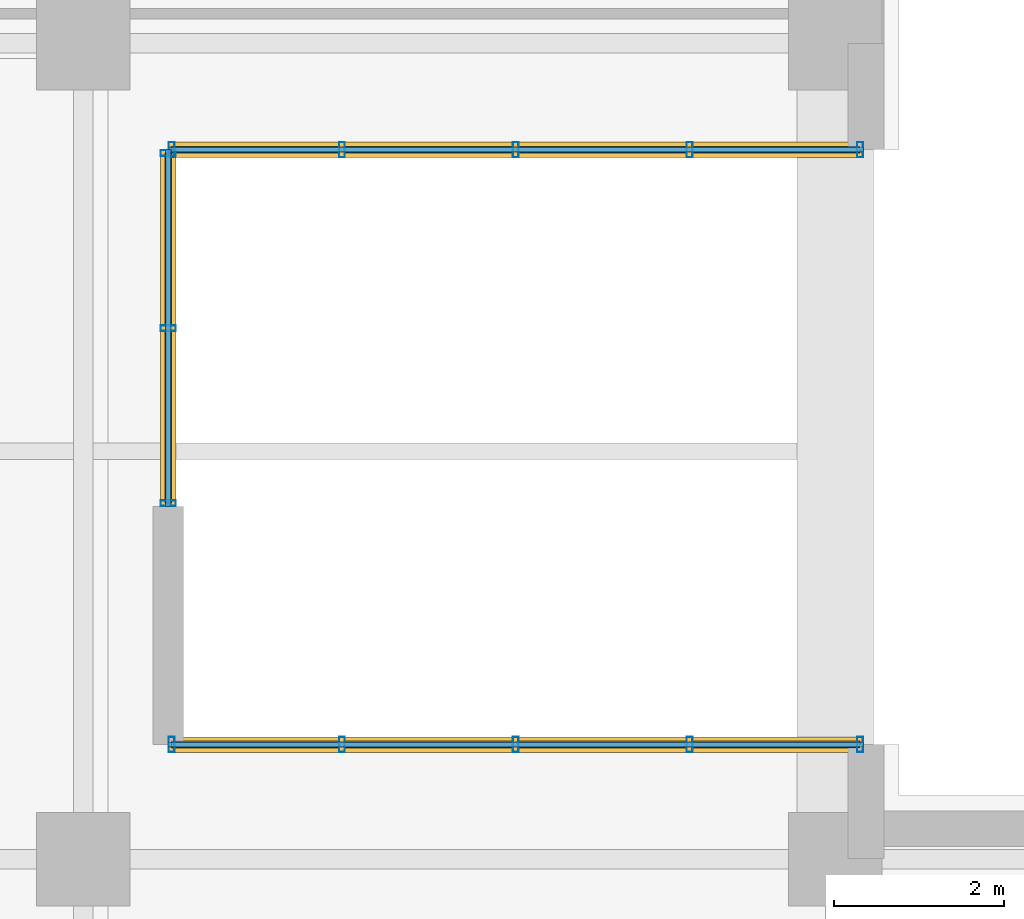
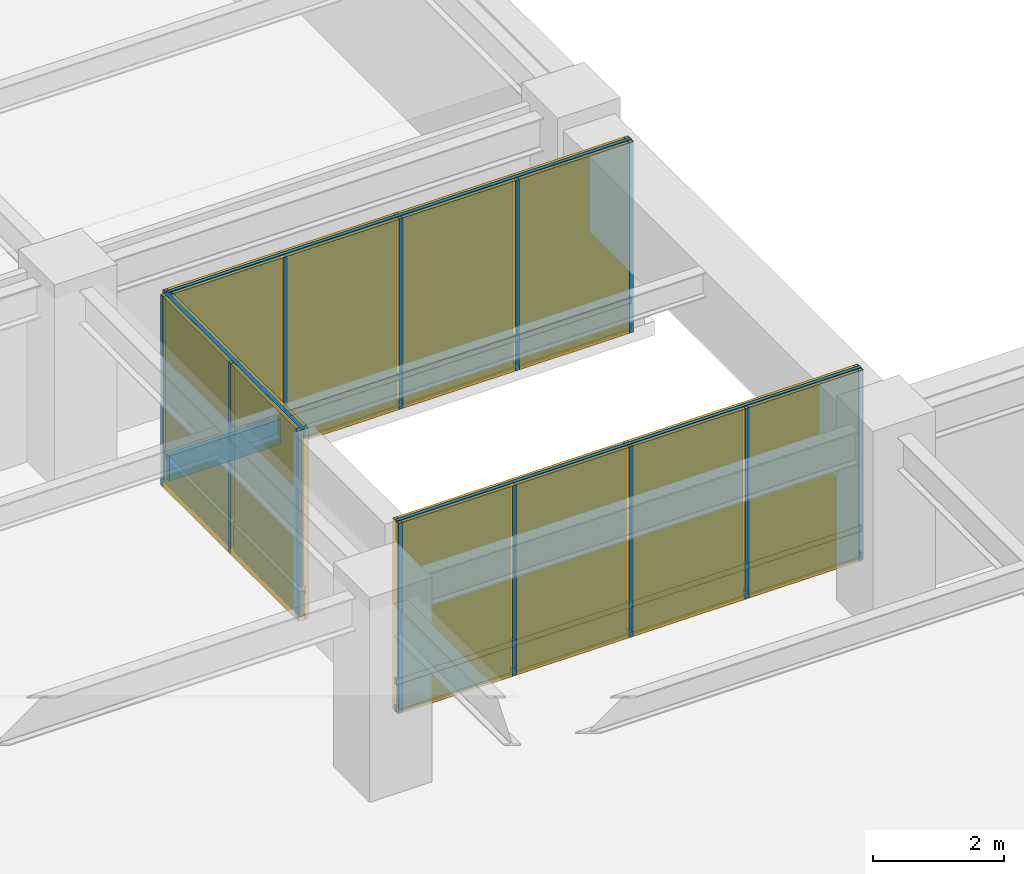
# One storey, part 9 of 14: 22 members, 20 plates, 3 curtain walls.
"""IFC4 building model written with IfcOpenShell, lengths in metres."""

from ifc_helpers import new_model, si_unit, direction, frame, frame_2d, origin, origin_2d, place, context, subcontext, project, spatial, rectangle, hollow_rectangle, extrude, material, layer, layer_set, material_profile, profile_set, type_object, element, aggregate, save


model = new_model("IFC4")

# Units and contexts
model_context = context("Model", 3, precision=1e-05, world=origin(), true_north=direction((0.0, 1.0)))
body_context = subcontext(model_context, "Body", "Model", "MODEL_VIEW")
ifc_project = project(units=[si_unit("LENGTHUNIT", "METRE"), si_unit("AREAUNIT", "SQUARE_METRE"), si_unit("VOLUMEUNIT", "CUBIC_METRE"), si_unit("PLANEANGLEUNIT", "RADIAN"), si_unit("MASSUNIT", "GRAM", prefix="KILO")], contexts=[model_context])

# Member
ifc_material_1 = material(Name="Anodized Aluminium 6063-T6", Category="aluminium")
ifc_material_profile_1 = material_profile(ifc_material_1, hollow_rectangle(XDim=0.070068359375, YDim=0.179931640625, WallThickness=0.00390625, at=origin_2d()), Name="Anodized Aluminium 6063-T6")
ifc_profile_set_1 = profile_set([ifc_material_profile_1], Name="Anodized Aluminium 6063-T6")
member_type_1 = type_object("IfcMemberType", Name="Curtain Wall Mullion 180", PredefinedType="MULLION", material=ifc_profile_set_1)
site_placement = place(None, origin())
building_placement = place(site_placement, origin())
storey_placement = place(building_placement, frame((0.0, 0.0, 62.199951171875)))
member_1_placement = place(storey_placement, frame((29.840087890625, 46.0, 0.0), z_axis=(0.0, 0.0, 1.0), x_axis=(1.0, 0.0, 0.0)))
member_1 = element("IfcMember", 1, at=member_1_placement, type_object=member_type_1, Name="Curtain Wall Mullion CW-L15-SGN-M01", PredefinedType="MULLION", context=body_context, shape_type="SweptSolid", body=[
    extrude(hollow_rectangle(XDim=0.070068359375, YDim=0.179931640625, WallThickness=0.00390625, at=origin_2d()), origin(), (0.0, 0.0, 1.0), 3.5400390625),
])

member_2_placement = place(storey_placement, frame((31.844970703125, 46.0, 0.0), z_axis=(0.0, 0.0, 1.0), x_axis=(1.0, 0.0, 0.0)))
member_2 = element("IfcMember", 2, at=member_2_placement, type_object=member_type_1, Name="Curtain Wall Mullion CW-L15-SGN-M02", PredefinedType="MULLION", context=body_context, shape_type="SweptSolid", body=[
    extrude(hollow_rectangle(XDim=0.070068359375, YDim=0.179931640625, WallThickness=0.00390625, at=origin_2d()), origin(), (0.0, 0.0, 1.0), 3.5400390625),
])

member_3_placement = place(storey_placement, frame((33.889892578125, 46.0, 0.0), z_axis=(0.0, 0.0, 1.0), x_axis=(1.0, 0.0, 0.0)))
member_3 = element("IfcMember", 3, at=member_3_placement, type_object=member_type_1, Name="Curtain Wall Mullion CW-L15-SGN-M03", PredefinedType="MULLION", context=body_context, shape_type="SweptSolid", body=[
    extrude(hollow_rectangle(XDim=0.070068359375, YDim=0.179931640625, WallThickness=0.00390625, at=origin_2d()), origin(), (0.0, 0.0, 1.0), 3.5400390625),
])

member_4_placement = place(storey_placement, frame((35.93505859375, 46.0, 0.0), z_axis=(0.0, 0.0, 1.0), x_axis=(1.0, 0.0, 0.0)))
member_4 = element("IfcMember", 4, at=member_4_placement, type_object=member_type_1, Name="Curtain Wall Mullion CW-L15-SGN-M04", PredefinedType="MULLION", context=body_context, shape_type="SweptSolid", body=[
    extrude(hollow_rectangle(XDim=0.070068359375, YDim=0.179931640625, WallThickness=0.00390625, at=origin_2d()), origin(), (0.0, 0.0, 1.0), 3.5400390625),
])

member_5_placement = place(storey_placement, frame((37.93994140625, 46.0, 0.0), z_axis=(0.0, 0.0, 1.0), x_axis=(1.0, 0.0, 0.0)))
member_5 = element("IfcMember", 5, at=member_5_placement, type_object=member_type_1, Name="Curtain Wall Mullion CW-L15-SGN-M05", PredefinedType="MULLION", context=body_context, shape_type="SweptSolid", body=[
    extrude(hollow_rectangle(XDim=0.070068359375, YDim=0.179931640625, WallThickness=0.00390625, at=origin_2d()), origin(), (0.0, 0.0, 1.0), 3.5400390625),
])

member_6_placement = place(storey_placement, frame((29.840087890625, 39.0, 0.0), z_axis=(0.0, 0.0, 1.0), x_axis=(1.0, 0.0, 0.0)))
member_6 = element("IfcMember", 6, at=member_6_placement, type_object=member_type_1, Name="Curtain Wall Mullion CW-L15-SGS-M01", PredefinedType="MULLION", context=body_context, shape_type="SweptSolid", body=[
    extrude(hollow_rectangle(XDim=0.070068359375, YDim=0.179931640625, WallThickness=0.00390625, at=origin_2d()), origin(), (0.0, 0.0, 1.0), 3.5400390625),
])

member_7_placement = place(storey_placement, frame((31.844970703125, 39.0, 0.0), z_axis=(0.0, 0.0, 1.0), x_axis=(1.0, 0.0, 0.0)))
member_7 = element("IfcMember", 7, at=member_7_placement, type_object=member_type_1, Name="Curtain Wall Mullion CW-L15-SGS-M02", PredefinedType="MULLION", context=body_context, shape_type="SweptSolid", body=[
    extrude(hollow_rectangle(XDim=0.070068359375, YDim=0.179931640625, WallThickness=0.00390625, at=origin_2d()), origin(), (0.0, 0.0, 1.0), 3.5400390625),
])

member_8_placement = place(storey_placement, frame((33.889892578125, 39.0, 0.0), z_axis=(0.0, 0.0, 1.0), x_axis=(1.0, 0.0, 0.0)))
member_8 = element("IfcMember", 8, at=member_8_placement, type_object=member_type_1, Name="Curtain Wall Mullion CW-L15-SGS-M03", PredefinedType="MULLION", context=body_context, shape_type="SweptSolid", body=[
    extrude(hollow_rectangle(XDim=0.070068359375, YDim=0.179931640625, WallThickness=0.00390625, at=origin_2d()), origin(), (0.0, 0.0, 1.0), 3.5400390625),
])

member_9_placement = place(storey_placement, frame((35.93505859375, 39.0, 0.0), z_axis=(0.0, 0.0, 1.0), x_axis=(1.0, 0.0, 0.0)))
member_9 = element("IfcMember", 9, at=member_9_placement, type_object=member_type_1, Name="Curtain Wall Mullion CW-L15-SGS-M04", PredefinedType="MULLION", context=body_context, shape_type="SweptSolid", body=[
    extrude(hollow_rectangle(XDim=0.070068359375, YDim=0.179931640625, WallThickness=0.00390625, at=origin_2d()), origin(), (0.0, 0.0, 1.0), 3.5400390625),
])

member_10_placement = place(storey_placement, frame((37.93994140625, 39.0, 0.0), z_axis=(0.0, 0.0, 1.0), x_axis=(1.0, 0.0, 0.0)))
member_10 = element("IfcMember", 10, at=member_10_placement, type_object=member_type_1, Name="Curtain Wall Mullion CW-L15-SGS-M05", PredefinedType="MULLION", context=body_context, shape_type="SweptSolid", body=[
    extrude(hollow_rectangle(XDim=0.070068359375, YDim=0.179931640625, WallThickness=0.00390625, at=origin_2d()), origin(), (0.0, 0.0, 1.0), 3.5400390625),
])

member_11_placement = place(storey_placement, frame((29.800048828125, 41.840087890625, 0.0), z_axis=(0.0, 0.0, 1.0), x_axis=(0.0, 1.0, 0.0)))
member_11 = element("IfcMember", 11, at=member_11_placement, type_object=member_type_1, Name="Curtain Wall Mullion CW-L15-SGW-M01", PredefinedType="MULLION", context=body_context, shape_type="SweptSolid", body=[
    extrude(hollow_rectangle(XDim=0.070068359375, YDim=0.179931640625, WallThickness=0.00390625, at=origin_2d()), origin(), (0.0, 0.0, 1.0), 3.5400390625),
])

member_12_placement = place(storey_placement, frame((29.800048828125, 43.89990234375, 0.0), z_axis=(0.0, 0.0, 1.0), x_axis=(0.0, 1.0, 0.0)))
member_12 = element("IfcMember", 12, at=member_12_placement, type_object=member_type_1, Name="Curtain Wall Mullion CW-L15-SGW-M02", PredefinedType="MULLION", context=body_context, shape_type="SweptSolid", body=[
    extrude(hollow_rectangle(XDim=0.070068359375, YDim=0.179931640625, WallThickness=0.00390625, at=origin_2d()), origin(), (0.0, 0.0, 1.0), 3.5400390625),
])

member_13_placement = place(storey_placement, frame((29.800048828125, 45.9599609375, 0.0), z_axis=(0.0, 0.0, 1.0), x_axis=(0.0, 1.0, 0.0)))
member_13 = element("IfcMember", 13, at=member_13_placement, type_object=member_type_1, Name="Curtain Wall Mullion CW-L15-SGW-M03", PredefinedType="MULLION", context=body_context, shape_type="SweptSolid", body=[
    extrude(hollow_rectangle(XDim=0.070068359375, YDim=0.179931640625, WallThickness=0.00390625, at=origin_2d()), origin(), (0.0, 0.0, 1.0), 3.5400390625),
])

ifc_material_profile_2 = material_profile(ifc_material_1, hollow_rectangle(XDim=0.06005859375, YDim=0.1201171875, WallThickness=0.00341796875, at=origin_2d()), Name="Anodized Aluminium 6063-T6")
ifc_profile_set_2 = profile_set([ifc_material_profile_2], Name="Anodized Aluminium 6063-T6")
member_type_2 = type_object("IfcMemberType", Name="Curtain Wall Transom 120", PredefinedType="USERDEFINED", material=ifc_profile_set_2)
member_14_placement = place(storey_placement, frame((29.800048828125, 46.0, 0.050048828125), z_axis=(1.0, 0.0, 0.0), x_axis=(0.0, 1.0, 0.0)))
member_14 = element("IfcMember", 14, at=member_14_placement, type_object=member_type_2, Name="Curtain Wall Transom CW-L15-SGN-T01", ObjectType="TRANSOM", PredefinedType="USERDEFINED", context=body_context, shape_type="SweptSolid", body=[
    extrude(hollow_rectangle(XDim=0.06005859375, YDim=0.1201171875, WallThickness=0.00341796875, at=origin_2d()), origin(), (0.0, 0.0, 1.0), 8.179931640625),
])

member_15_placement = place(storey_placement, frame((29.800048828125, 46.0, 0.550048828125), z_axis=(1.0, 0.0, 0.0), x_axis=(0.0, 1.0, 0.0)))
member_15 = element("IfcMember", 15, at=member_15_placement, type_object=member_type_2, Name="Curtain Wall Transom CW-L15-SGN-T02", ObjectType="TRANSOM", PredefinedType="USERDEFINED", context=body_context, shape_type="SweptSolid", body=[
    extrude(hollow_rectangle(XDim=0.06005859375, YDim=0.1201171875, WallThickness=0.00341796875, at=origin_2d()), origin(), (0.0, 0.0, 1.0), 8.179931640625),
])

member_16_placement = place(storey_placement, frame((29.800048828125, 46.0, 3.489990234375), z_axis=(1.0, 0.0, 0.0), x_axis=(0.0, 1.0, 0.0)))
member_16 = element("IfcMember", 16, at=member_16_placement, type_object=member_type_2, Name="Curtain Wall Transom CW-L15-SGN-T03", ObjectType="TRANSOM", PredefinedType="USERDEFINED", context=body_context, shape_type="SweptSolid", body=[
    extrude(hollow_rectangle(XDim=0.06005859375, YDim=0.1201171875, WallThickness=0.00341796875, at=origin_2d()), origin(), (0.0, 0.0, 1.0), 8.179931640625),
])

member_17_placement = place(storey_placement, frame((29.800048828125, 39.0, 0.050048828125), z_axis=(1.0, 0.0, 0.0), x_axis=(0.0, 1.0, 0.0)))
member_17 = element("IfcMember", 17, at=member_17_placement, type_object=member_type_2, Name="Curtain Wall Transom CW-L15-SGS-T01", ObjectType="TRANSOM", PredefinedType="USERDEFINED", context=body_context, shape_type="SweptSolid", body=[
    extrude(hollow_rectangle(XDim=0.06005859375, YDim=0.1201171875, WallThickness=0.00341796875, at=origin_2d()), origin(), (0.0, 0.0, 1.0), 8.179931640625),
])

member_18_placement = place(storey_placement, frame((29.800048828125, 39.0, 0.550048828125), z_axis=(1.0, 0.0, 0.0), x_axis=(0.0, 1.0, 0.0)))
member_18 = element("IfcMember", 18, at=member_18_placement, type_object=member_type_2, Name="Curtain Wall Transom CW-L15-SGS-T02", ObjectType="TRANSOM", PredefinedType="USERDEFINED", context=body_context, shape_type="SweptSolid", body=[
    extrude(hollow_rectangle(XDim=0.06005859375, YDim=0.1201171875, WallThickness=0.00341796875, at=origin_2d()), origin(), (0.0, 0.0, 1.0), 8.179931640625),
])

member_19_placement = place(storey_placement, frame((29.800048828125, 39.0, 3.489990234375), z_axis=(1.0, 0.0, 0.0), x_axis=(0.0, 1.0, 0.0)))
member_19 = element("IfcMember", 19, at=member_19_placement, type_object=member_type_2, Name="Curtain Wall Transom CW-L15-SGS-T03", ObjectType="TRANSOM", PredefinedType="USERDEFINED", context=body_context, shape_type="SweptSolid", body=[
    extrude(hollow_rectangle(XDim=0.06005859375, YDim=0.1201171875, WallThickness=0.00341796875, at=origin_2d()), origin(), (0.0, 0.0, 1.0), 8.179931640625),
])

member_20_placement = place(storey_placement, frame((29.800048828125, 41.800048828125, 0.050048828125), z_axis=(0.0, 1.0, 0.0), x_axis=(-1.0, 0.0, 0.0)))
member_20 = element("IfcMember", 20, at=member_20_placement, type_object=member_type_2, Name="Curtain Wall Transom CW-L15-SGW-T01", ObjectType="TRANSOM", PredefinedType="USERDEFINED", context=body_context, shape_type="SweptSolid", body=[
    extrude(hollow_rectangle(XDim=0.06005859375, YDim=0.1201171875, WallThickness=0.00341796875, at=origin_2d()), origin(), (0.0, 0.0, 1.0), 4.199951171875),
])

member_21_placement = place(storey_placement, frame((29.800048828125, 41.800048828125, 0.550048828125), z_axis=(0.0, 1.0, 0.0), x_axis=(-1.0, 0.0, 0.0)))
member_21 = element("IfcMember", 21, at=member_21_placement, type_object=member_type_2, Name="Curtain Wall Transom CW-L15-SGW-T02", ObjectType="TRANSOM", PredefinedType="USERDEFINED", context=body_context, shape_type="SweptSolid", body=[
    extrude(hollow_rectangle(XDim=0.06005859375, YDim=0.1201171875, WallThickness=0.00341796875, at=origin_2d()), origin(), (0.0, 0.0, 1.0), 4.199951171875),
])

member_22_placement = place(storey_placement, frame((29.800048828125, 41.800048828125, 3.489990234375), z_axis=(0.0, 1.0, 0.0), x_axis=(-1.0, 0.0, 0.0)))
member_22 = element("IfcMember", 22, at=member_22_placement, type_object=member_type_2, Name="Curtain Wall Transom CW-L15-SGW-T03", ObjectType="TRANSOM", PredefinedType="USERDEFINED", context=body_context, shape_type="SweptSolid", body=[
    extrude(hollow_rectangle(XDim=0.06005859375, YDim=0.1201171875, WallThickness=0.00341796875, at=origin_2d()), origin(), (0.0, 0.0, 1.0), 4.199951171875),
])

# Plate
ifc_material_2 = material(Name="Bird-Friendly Fritted Triple Glazing", Category="glass")
ifc_layer_1 = layer(ifc_material_2, 0.052001953125, Name="Bird-Friendly Fritted Triple Glazing")
ifc_layer_set_1 = layer_set([ifc_layer_1], Name="Bird-Friendly Fritted Triple Glazing")
plate_type_1 = type_object("IfcPlateType", Name="Plate CWGlazing 52", PredefinedType="CURTAIN_PANEL", material=ifc_layer_set_1)
plate_1_placement = place(storey_placement, frame((30.822509765625, 46.0, 0.59033203125), z_axis=(0.0, 0.0, 1.0), x_axis=(1.0, 0.0, 0.0)))
plate_1 = element("IfcPlate", 23, at=plate_1_placement, type_object=plate_type_1, Name="Vision Glazing Panel CW-L15-SGN-GL01", PredefinedType="CURTAIN_PANEL", context=body_context, shape_type="SweptSolid", body=[
    extrude(rectangle(XDim=1.965087890625, YDim=0.052001953125, at=origin_2d()), origin(), (0.0, 0.0, 1.0), 2.909912109375),
])

plate_2_placement = place(storey_placement, frame((32.867431640625, 46.0, 0.59033203125), z_axis=(0.0, 0.0, 1.0), x_axis=(1.0, 0.0, 0.0)))
plate_2 = element("IfcPlate", 24, at=plate_2_placement, type_object=plate_type_1, Name="Vision Glazing Panel CW-L15-SGN-GL02", PredefinedType="CURTAIN_PANEL", context=body_context, shape_type="SweptSolid", body=[
    extrude(rectangle(XDim=1.965087890625, YDim=0.052001953125, at=origin_2d()), origin(), (0.0, 0.0, 1.0), 2.909912109375),
])

plate_3_placement = place(storey_placement, frame((34.91259765625, 46.0, 0.59033203125), z_axis=(0.0, 0.0, 1.0), x_axis=(1.0, 0.0, 0.0)))
plate_3 = element("IfcPlate", 25, at=plate_3_placement, type_object=plate_type_1, Name="Vision Glazing Panel CW-L15-SGN-GL03", PredefinedType="CURTAIN_PANEL", context=body_context, shape_type="SweptSolid", body=[
    extrude(rectangle(XDim=1.965087890625, YDim=0.052001953125, at=origin_2d()), origin(), (0.0, 0.0, 1.0), 2.909912109375),
])

plate_4_placement = place(storey_placement, frame((36.95751953125, 46.0, 0.59033203125), z_axis=(0.0, 0.0, 1.0), x_axis=(1.0, 0.0, 0.0)))
plate_4 = element("IfcPlate", 26, at=plate_4_placement, type_object=plate_type_1, Name="Vision Glazing Panel CW-L15-SGN-GL04", PredefinedType="CURTAIN_PANEL", context=body_context, shape_type="SweptSolid", body=[
    extrude(rectangle(XDim=1.965087890625, YDim=0.052001953125, at=origin_2d()), origin(), (0.0, 0.0, 1.0), 2.909912109375),
])

plate_5_placement = place(storey_placement, frame((30.822509765625, 39.0, 0.59033203125), z_axis=(0.0, 0.0, 1.0), x_axis=(1.0, 0.0, 0.0)))
plate_5 = element("IfcPlate", 27, at=plate_5_placement, type_object=plate_type_1, Name="Vision Glazing Panel CW-L15-SGS-GL01", PredefinedType="CURTAIN_PANEL", context=body_context, shape_type="SweptSolid", body=[
    extrude(rectangle(XDim=1.965087890625, YDim=0.052001953125, at=origin_2d()), origin(), (0.0, 0.0, 1.0), 2.909912109375),
])

plate_6_placement = place(storey_placement, frame((32.867431640625, 39.0, 0.59033203125), z_axis=(0.0, 0.0, 1.0), x_axis=(1.0, 0.0, 0.0)))
plate_6 = element("IfcPlate", 28, at=plate_6_placement, type_object=plate_type_1, Name="Vision Glazing Panel CW-L15-SGS-GL02", PredefinedType="CURTAIN_PANEL", context=body_context, shape_type="SweptSolid", body=[
    extrude(rectangle(XDim=1.965087890625, YDim=0.052001953125, at=origin_2d()), origin(), (0.0, 0.0, 1.0), 2.909912109375),
])

plate_7_placement = place(storey_placement, frame((34.91259765625, 39.0, 0.59033203125), z_axis=(0.0, 0.0, 1.0), x_axis=(1.0, 0.0, 0.0)))
plate_7 = element("IfcPlate", 29, at=plate_7_placement, type_object=plate_type_1, Name="Vision Glazing Panel CW-L15-SGS-GL03", PredefinedType="CURTAIN_PANEL", context=body_context, shape_type="SweptSolid", body=[
    extrude(rectangle(XDim=1.965087890625, YDim=0.052001953125, at=origin_2d()), origin(), (0.0, 0.0, 1.0), 2.909912109375),
])

plate_8_placement = place(storey_placement, frame((36.95751953125, 39.0, 0.59033203125), z_axis=(0.0, 0.0, 1.0), x_axis=(1.0, 0.0, 0.0)))
plate_8 = element("IfcPlate", 30, at=plate_8_placement, type_object=plate_type_1, Name="Vision Glazing Panel CW-L15-SGS-GL04", PredefinedType="CURTAIN_PANEL", context=body_context, shape_type="SweptSolid", body=[
    extrude(rectangle(XDim=1.965087890625, YDim=0.052001953125, at=origin_2d()), origin(), (0.0, 0.0, 1.0), 2.909912109375),
])

plate_9_placement = place(storey_placement, frame((29.800048828125, 42.85009765625, 0.59033203125), z_axis=(0.0, 0.0, 1.0), x_axis=(0.0, 1.0, 0.0)))
plate_9 = element("IfcPlate", 31, at=plate_9_placement, type_object=plate_type_1, Name="Vision Glazing Panel CW-L15-SGW-GL01", PredefinedType="CURTAIN_PANEL", context=body_context, shape_type="SweptSolid", body=[
    extrude(rectangle(XDim=2.02001953125, YDim=0.052001953125, at=origin_2d()), origin(), (0.0, 0.0, 1.0), 2.909912109375),
])

plate_10_placement = place(storey_placement, frame((29.800048828125, 44.949951171875, 0.59033203125), z_axis=(0.0, 0.0, 1.0), x_axis=(0.0, 1.0, 0.0)))
plate_10 = element("IfcPlate", 32, at=plate_10_placement, type_object=plate_type_1, Name="Vision Glazing Panel CW-L15-SGW-GL02", PredefinedType="CURTAIN_PANEL", context=body_context, shape_type="SweptSolid", body=[
    extrude(rectangle(XDim=2.02001953125, YDim=0.052001953125, at=origin_2d()), origin(), (0.0, 0.0, 1.0), 2.909912109375),
])

ifc_material_3 = material(Name="Insulated Aluminium Spandrel Panel", Category="aluminium")
ifc_layer_2 = layer(ifc_material_3, 0.080078125, Name="Insulated Aluminium Spandrel Panel")
ifc_layer_set_2 = layer_set([ifc_layer_2], Name="Insulated Aluminium Spandrel Panel")
plate_type_2 = type_object("IfcPlateType", Name="Plate CWSpandrel 80", PredefinedType="SHEET", material=ifc_layer_set_2)
plate_11_placement = place(storey_placement, frame((30.822509765625, 46.0, 0.0400390625), z_axis=(0.0, 0.0, 1.0), x_axis=(1.0, 0.0, 0.0)))
plate_11 = element("IfcPlate", 33, at=plate_11_placement, type_object=plate_type_2, Name="Spandrel Panel CW-L15-SGN-SP01", PredefinedType="SHEET", context=body_context, shape_type="SweptSolid", body=[
    extrude(rectangle(XDim=1.965087890625, YDim=0.080078125, at=origin_2d()), origin(), (0.0, 0.0, 1.0), 0.469970703125),
])

plate_12_placement = place(storey_placement, frame((32.867431640625, 46.0, 0.0400390625), z_axis=(0.0, 0.0, 1.0), x_axis=(1.0, 0.0, 0.0)))
plate_12 = element("IfcPlate", 34, at=plate_12_placement, type_object=plate_type_2, Name="Spandrel Panel CW-L15-SGN-SP02", PredefinedType="SHEET", context=body_context, shape_type="SweptSolid", body=[
    extrude(rectangle(XDim=1.965087890625, YDim=0.080078125, at=origin_2d()), origin(), (0.0, 0.0, 1.0), 0.469970703125),
])

plate_13_placement = place(storey_placement, frame((34.91259765625, 46.0, 0.0400390625), z_axis=(0.0, 0.0, 1.0), x_axis=(1.0, 0.0, 0.0)))
plate_13 = element("IfcPlate", 35, at=plate_13_placement, type_object=plate_type_2, Name="Spandrel Panel CW-L15-SGN-SP03", PredefinedType="SHEET", context=body_context, shape_type="SweptSolid", body=[
    extrude(rectangle(XDim=1.965087890625, YDim=0.080078125, at=origin_2d()), origin(), (0.0, 0.0, 1.0), 0.469970703125),
])

plate_14_placement = place(storey_placement, frame((36.95751953125, 46.0, 0.0400390625), z_axis=(0.0, 0.0, 1.0), x_axis=(1.0, 0.0, 0.0)))
plate_14 = element("IfcPlate", 36, at=plate_14_placement, type_object=plate_type_2, Name="Spandrel Panel CW-L15-SGN-SP04", PredefinedType="SHEET", context=body_context, shape_type="SweptSolid", body=[
    extrude(rectangle(XDim=1.965087890625, YDim=0.080078125, at=origin_2d()), origin(), (0.0, 0.0, 1.0), 0.469970703125),
])

plate_15_placement = place(storey_placement, frame((30.822509765625, 39.0, 0.0400390625), z_axis=(0.0, 0.0, 1.0), x_axis=(1.0, 0.0, 0.0)))
plate_15 = element("IfcPlate", 37, at=plate_15_placement, type_object=plate_type_2, Name="Spandrel Panel CW-L15-SGS-SP01", PredefinedType="SHEET", context=body_context, shape_type="SweptSolid", body=[
    extrude(rectangle(XDim=1.965087890625, YDim=0.080078125, at=origin_2d()), origin(), (0.0, 0.0, 1.0), 0.469970703125),
])

plate_16_placement = place(storey_placement, frame((32.867431640625, 39.0, 0.0400390625), z_axis=(0.0, 0.0, 1.0), x_axis=(1.0, 0.0, 0.0)))
plate_16 = element("IfcPlate", 38, at=plate_16_placement, type_object=plate_type_2, Name="Spandrel Panel CW-L15-SGS-SP02", PredefinedType="SHEET", context=body_context, shape_type="SweptSolid", body=[
    extrude(rectangle(XDim=1.965087890625, YDim=0.080078125, at=origin_2d()), origin(), (0.0, 0.0, 1.0), 0.469970703125),
])

plate_17_placement = place(storey_placement, frame((34.91259765625, 39.0, 0.0400390625), z_axis=(0.0, 0.0, 1.0), x_axis=(1.0, 0.0, 0.0)))
plate_17 = element("IfcPlate", 39, at=plate_17_placement, type_object=plate_type_2, Name="Spandrel Panel CW-L15-SGS-SP03", PredefinedType="SHEET", context=body_context, shape_type="SweptSolid", body=[
    extrude(rectangle(XDim=1.965087890625, YDim=0.080078125, at=origin_2d()), origin(), (0.0, 0.0, 1.0), 0.469970703125),
])

plate_18_placement = place(storey_placement, frame((36.95751953125, 39.0, 0.0400390625), z_axis=(0.0, 0.0, 1.0), x_axis=(1.0, 0.0, 0.0)))
plate_18 = element("IfcPlate", 40, at=plate_18_placement, type_object=plate_type_2, Name="Spandrel Panel CW-L15-SGS-SP04", PredefinedType="SHEET", context=body_context, shape_type="SweptSolid", body=[
    extrude(rectangle(XDim=1.965087890625, YDim=0.080078125, at=origin_2d()), origin(), (0.0, 0.0, 1.0), 0.469970703125),
])

plate_19_placement = place(storey_placement, frame((29.800048828125, 42.85009765625, 0.0400390625), z_axis=(0.0, 0.0, 1.0), x_axis=(0.0, 1.0, 0.0)))
plate_19 = element("IfcPlate", 41, at=plate_19_placement, type_object=plate_type_2, Name="Spandrel Panel CW-L15-SGW-SP01", PredefinedType="SHEET", context=body_context, shape_type="SweptSolid", body=[
    extrude(rectangle(XDim=2.02001953125, YDim=0.080078125, at=origin_2d()), origin(), (0.0, 0.0, 1.0), 0.469970703125),
])

plate_20_placement = place(storey_placement, frame((29.800048828125, 44.949951171875, 0.0400390625), z_axis=(0.0, 0.0, 1.0), x_axis=(0.0, 1.0, 0.0)))
plate_20 = element("IfcPlate", 42, at=plate_20_placement, type_object=plate_type_2, Name="Spandrel Panel CW-L15-SGW-SP02", PredefinedType="SHEET", context=body_context, shape_type="SweptSolid", body=[
    extrude(rectangle(XDim=2.02001953125, YDim=0.080078125, at=origin_2d()), origin(), (0.0, 0.0, 1.0), 0.469970703125),
])

# Site, building, storey
site = spatial("IfcSite", under=ifc_project, at=site_placement, CompositionType="ELEMENT")
building = spatial("IfcBuilding", under=site, at=building_placement, Name="Norrvale University Quadrangle", CompositionType="ELEMENT")
storey = spatial("IfcBuildingStorey", under=building, at=storey_placement, Name="L15", CompositionType="ELEMENT", Elevation=62.199951171875)

# Curtain wall
ifc_material_4 = material(Name="Anodized Aluminium and Triple Glazing", Category="glass")
curtain_wall_type = type_object("IfcCurtainWallType", Name="Curtain Wall System 2 Sky Garden", PredefinedType="NOTDEFINED", material=ifc_material_4)
curtain_wall_1_placement = place(storey_placement, frame((29.800048828125, 46.0, 0.0), z_axis=(0.0, 0.0, 1.0), x_axis=(1.0, 0.0, 0.0)))
curtain_wall_1 = element("IfcCurtainWall", 43, at=curtain_wall_1_placement, inside=storey, type_object=curtain_wall_type, Name="Curtain Wall CW System 2 Sky Garden CW-L15-SGN", PredefinedType="NOTDEFINED", context=body_context, shape_type="SweptSolid", body=[
    extrude(rectangle(XDim=8.179931640625, YDim=0.179931640625, at=frame_2d((4.08984375, 0.0))), origin(), (0.0, 0.0, 1.0), 3.5400390625),
])

aggregate(curtain_wall_1, [member_1, member_2, member_3, member_4, member_5, member_14, member_15, member_16, plate_11, plate_1, plate_12, plate_2, plate_13, plate_3, plate_14, plate_4])

curtain_wall_2_placement = place(storey_placement, frame((29.800048828125, 39.0, 0.0), z_axis=(0.0, 0.0, 1.0), x_axis=(1.0, 0.0, 0.0)))
curtain_wall_2 = element("IfcCurtainWall", 44, at=curtain_wall_2_placement, inside=storey, type_object=curtain_wall_type, Name="Curtain Wall CW System 2 Sky Garden CW-L15-SGS", PredefinedType="NOTDEFINED", context=body_context, shape_type="SweptSolid", body=[
    extrude(rectangle(XDim=8.179931640625, YDim=0.179931640625, at=frame_2d((4.08984375, 0.0))), origin(), (0.0, 0.0, 1.0), 3.5400390625),
])

aggregate(curtain_wall_2, [member_6, member_7, member_8, member_9, member_10, member_17, member_18, member_19, plate_15, plate_5, plate_16, plate_6, plate_17, plate_7, plate_18, plate_8])

curtain_wall_3_placement = place(storey_placement, frame((29.800048828125, 41.800048828125, 0.0), z_axis=(0.0, 0.0, 1.0), x_axis=(0.0, 1.0, 0.0)))
curtain_wall_3 = element("IfcCurtainWall", 45, at=curtain_wall_3_placement, inside=storey, type_object=curtain_wall_type, Name="Curtain Wall CW System 2 Sky Garden CW-L15-SGW", PredefinedType="NOTDEFINED", context=body_context, shape_type="SweptSolid", body=[
    extrude(rectangle(XDim=4.199951171875, YDim=0.179931640625, at=frame_2d((2.10009765625, 0.0))), origin(), (0.0, 0.0, 1.0), 3.5400390625),
])

aggregate(curtain_wall_3, [member_11, member_12, member_13, member_20, member_21, member_22, plate_19, plate_9, plate_20, plate_10])

save(model, "model.ifc")
